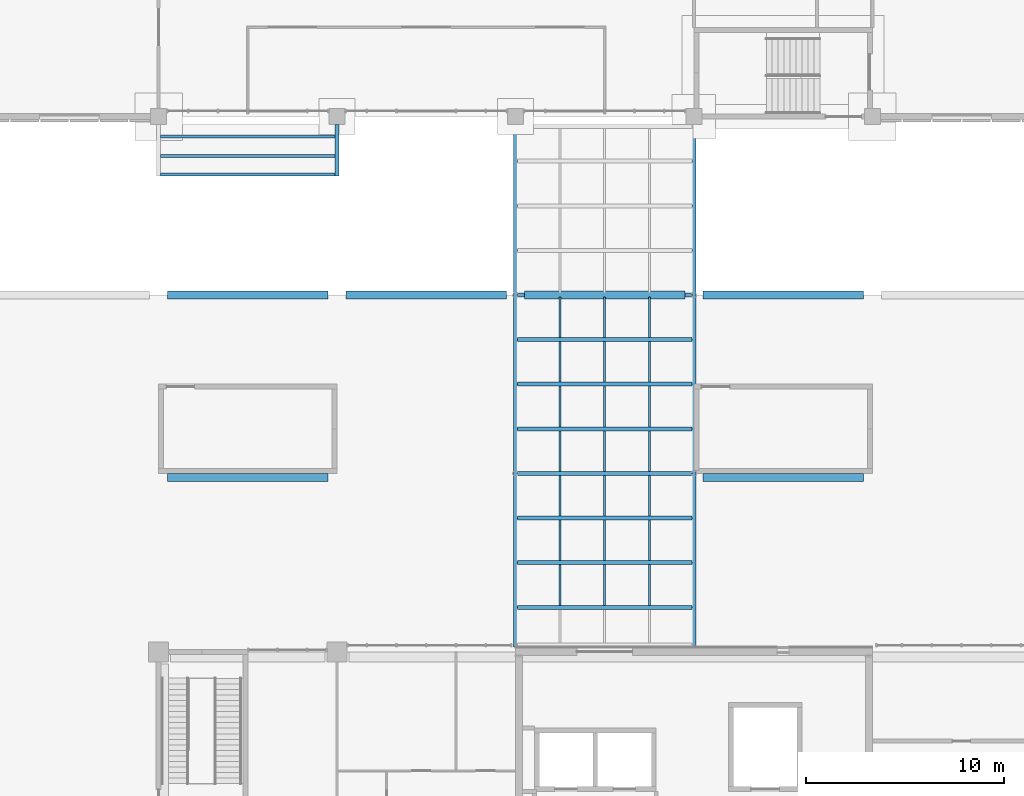
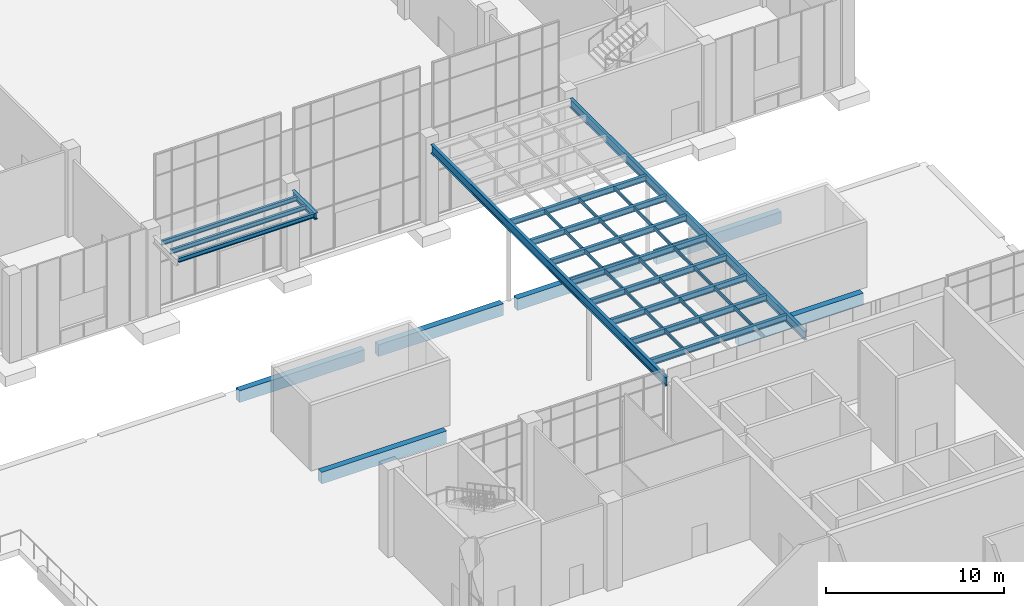
# One storey, part 31 of 86: 21 members, 20 beams.
"""IFC4 building model written with IfcOpenShell, lengths in metres."""

from ifc_helpers import new_model, si_unit, direction, frame, origin, origin_2d, place, context, subcontext, project, spatial, rectangle, i_section, extrude, material, material_profile, profile_set, type_object, element, save


model = new_model("IFC4")

# Units and contexts
model_context = context("Model", 3, precision=1e-05, world=origin(), true_north=direction((0.0, 1.0)))
body_context = subcontext(model_context, "Body", "Model", "MODEL_VIEW")
ifc_project = project(units=[si_unit("LENGTHUNIT", "METRE"), si_unit("AREAUNIT", "SQUARE_METRE"), si_unit("VOLUMEUNIT", "CUBIC_METRE"), si_unit("PLANEANGLEUNIT", "RADIAN"), si_unit("MASSUNIT", "GRAM", prefix="KILO")], contexts=[model_context])

# Site, building, storey
site_placement = place(None, origin())
site = spatial("IfcSite", under=ifc_project, at=site_placement, CompositionType="ELEMENT")
building_placement = place(site_placement, origin())
building = spatial("IfcBuilding", under=site, at=building_placement, Name="Guidao Yard Department Store", CompositionType="ELEMENT")
storey_placement = place(building_placement, origin())
storey = spatial("IfcBuildingStorey", under=building, at=storey_placement, Name="L00", CompositionType="ELEMENT", Elevation=0.0)

# Beams
ifc_material_1 = material(Name="Steel Q355B", Category="steel")
ifc_material_profile_1 = material_profile(ifc_material_1, i_section(OverallWidth=0.14990234375, OverallDepth=0.300048828125, WebThickness=0.006591796875, FlangeThickness=0.009033203125, FilletRadius=0.012939453125, at=origin_2d()), Name="HN 300x150x6.5x9")
ifc_profile_set_1 = profile_set([ifc_material_profile_1], Name="Steel Q355B")
beam_type_1 = type_object("IfcBeamType", Name="Canopy beam HN 300x150x6.5x9", PredefinedType="BEAM", material=ifc_profile_set_1)
beam_1_placement = place(storey_placement, frame((126.10009765625, 51.074951171875, 5.300048828125), z_axis=(1.0, 0.0, 0.0), x_axis=(0.0, 1.0, 0.0)))
element("IfcBeam", 1, at=beam_1_placement, inside=storey, type_object=beam_type_1, Name="Canopy edge beam FS-1", PredefinedType="BEAM", context=body_context, shape_type="SweptSolid", body=[
    extrude(i_section(OverallWidth=0.14990234375, OverallDepth=0.300048828125, WebThickness=0.006591796875, FlangeThickness=0.009033203125, FilletRadius=0.012939453125, at=origin_2d()), origin(), (0.0, 0.0, 1.0), 8.7998046875),
])
for number, where, z_axis, x_axis, name in (
    (2, (126.10009765625, 53.0, 5.300048828125), (1.0, 0.0, 0.0), (0.0, 1.0, 0.0), "Canopy joist FS-1.1"),
    (3, (126.10009765625, 52.0, 5.300048828125), (1.0, 0.0, 0.0), (0.0, 1.0, 0.0), "Canopy joist FS-1.2"),
):
    element("IfcBeam", number, at=place(storey_placement, frame(where, z_axis=z_axis, x_axis=x_axis)), inside=storey, type_object=beam_type_1, Name=name, PredefinedType="JOIST", context=body_context, shape_type="SweptSolid", body=[
        extrude(i_section(OverallWidth=0.14990234375, OverallDepth=0.300048828125, WebThickness=0.006591796875, FlangeThickness=0.009033203125, FilletRadius=0.012939453125, at=origin_2d()), origin(), (0.0, 0.0, 1.0), 8.7998046875),
    ])
ifc_material_2 = material(Name="Concrete C40", Category="concrete")
ifc_material_profile_2 = material_profile(ifc_material_2, rectangle(XDim=0.39990234375, YDim=0.800048828125, at=origin_2d()), Name="Edge beam 400 x 800 C40")
ifc_profile_set_2 = profile_set([ifc_material_profile_2], Name="Concrete C40")
beam_type_2 = type_object("IfcBeamType", Name="Edge beam 400 x 800 C40", PredefinedType="BEAM", material=ifc_profile_set_2)
for number, where, z_axis, x_axis, name in (
    (4, (126.449951171875, 35.800048828125, -0.39990234375), (1.0, 0.0, 0.0), (0.0, 1.0, 0.0), "Beam EB88"),
    (5, (153.449951171875, 35.800048828125, -0.39990234375), (1.0, 0.0, 0.0), (0.0, 1.0, 0.0), "Beam EB89"),
):
    element("IfcBeam", number, at=place(storey_placement, frame(where, z_axis=z_axis, x_axis=x_axis)), inside=storey, type_object=beam_type_2, Name=name, PredefinedType="BEAM", context=body_context, shape_type="SweptSolid", body=[
        extrude(rectangle(XDim=0.39990234375, YDim=0.800048828125, at=origin_2d()), origin(), (0.0, 0.0, 1.0), 8.10009765625),
    ])
ifc_material_3 = material(Name="Steel Q355B", Category="steel")
ifc_material_profile_3 = material_profile(ifc_material_3, i_section(OverallWidth=0.199951171875, OverallDepth=0.449951171875, WebThickness=0.009033203125, FlangeThickness=0.013916015625, FilletRadius=0.012939453125, at=origin_2d()), Name="HN 450x200x9x14")
ifc_profile_set_3 = profile_set([ifc_material_profile_3], Name="Steel Q355B")
beam_type_3 = type_object("IfcBeamType", Name="HN 450x200x9x14", PredefinedType="BEAM", material=ifc_profile_set_3)
beam_2_placement = place(storey_placement, frame((135.0, 53.60009765625, 5.22509765625), z_axis=(0.0, -1.0, 0.0), x_axis=(1.0, 0.0, 0.0)))
element("IfcBeam", 6, at=beam_2_placement, inside=storey, type_object=beam_type_3, Name="Canopy beam FS-2", PredefinedType="BEAM", context=body_context, shape_type="SweptSolid", body=[
    extrude(i_section(OverallWidth=0.199951171875, OverallDepth=0.449951171875, WebThickness=0.009033203125, FlangeThickness=0.013916015625, FilletRadius=0.012939453125, at=origin_2d()), origin(), (0.0, 0.0, 1.0), 2.60009765625),
])
ifc_material_4 = material(Name="Concrete C40", Category="concrete")
ifc_material_profile_4 = material_profile(ifc_material_4, rectangle(XDim=0.39990234375, YDim=0.800048828125, at=origin_2d()), Name="Spandrel beam 400 x 800 C40")
ifc_profile_set_4 = profile_set([ifc_material_profile_4], Name="Concrete C40")
beam_type_4 = type_object("IfcBeamType", Name="Spandrel beam 400 x 800 C40", PredefinedType="SPANDREL", material=ifc_profile_set_4)
for number, where, z_axis, x_axis, name in (
    (7, (126.449951171875, 45.0, -0.39990234375), (1.0, 0.0, 0.0), (0.0, 1.0, 0.0), "Beam EB83"),
    (8, (135.449951171875, 45.0, -0.39990234375), (1.0, 0.0, 0.0), (0.0, 1.0, 0.0), "Beam EB84"),
    (9, (144.449951171875, 45.0, -0.39990234375), (1.0, 0.0, 0.0), (0.0, 1.0, 0.0), "Beam EB85"),
    (10, (153.449951171875, 45.0, -0.39990234375), (1.0, 0.0, 0.0), (0.0, 1.0, 0.0), "Beam EB86"),
):
    element("IfcBeam", number, at=place(storey_placement, frame(where, z_axis=z_axis, x_axis=x_axis)), inside=storey, type_object=beam_type_4, Name=name, PredefinedType="SPANDREL", context=body_context, shape_type="SweptSolid", body=[
        extrude(rectangle(XDim=0.39990234375, YDim=0.800048828125, at=origin_2d()), origin(), (0.0, 0.0, 1.0), 8.10009765625),
    ])
ifc_material_5 = material(Name="Steel Q355B", Category="steel")
ifc_material_profile_5 = material_profile(ifc_material_5, i_section(OverallWidth=0.199951171875, OverallDepth=0.39990234375, WebThickness=0.008056640625, FlangeThickness=0.012939453125, FilletRadius=0.012939453125, at=origin_2d()), Name="HN 400x200x8x13")
ifc_profile_set_5 = profile_set([ifc_material_profile_5], Name="Steel Q355B")
beam_type_5 = type_object("IfcBeamType", Name="Walkway beam HN 400x200x8x13", PredefinedType="BEAM", material=ifc_profile_set_5)
for number, where, z_axis, x_axis, name in (
    (11, (144.10009765625, 29.25, 5.25), (1.0, 0.0, 0.0), (0.0, 1.0, 0.0), "Walkway beam 2"),
    (12, (144.10009765625, 31.5, 5.25), (1.0, 0.0, 0.0), (0.0, 1.0, 0.0), "Walkway beam 3"),
    (13, (144.10009765625, 33.75, 5.25), (1.0, 0.0, 0.0), (0.0, 1.0, 0.0), "Walkway beam 4"),
    (14, (144.10009765625, 36.0, 5.25), (1.0, 0.0, 0.0), (0.0, 1.0, 0.0), "Walkway beam 5"),
    (15, (144.10009765625, 38.25, 5.25), (1.0, 0.0, 0.0), (0.0, 1.0, 0.0), "Walkway beam 6"),
    (16, (144.10009765625, 40.5, 5.25), (1.0, 0.0, 0.0), (0.0, 1.0, 0.0), "Walkway beam 7"),
    (17, (144.10009765625, 42.75, 5.25), (1.0, 0.0, 0.0), (0.0, 1.0, 0.0), "Walkway beam 8"),
    (18, (144.10009765625, 45.0, 5.25), (1.0, 0.0, 0.0), (0.0, 1.0, 0.0), "Walkway beam 9"),
):
    element("IfcBeam", number, at=place(storey_placement, frame(where, z_axis=z_axis, x_axis=x_axis)), inside=storey, type_object=beam_type_5, Name=name, PredefinedType="BEAM", context=body_context, shape_type="SweptSolid", body=[
        extrude(i_section(OverallWidth=0.199951171875, OverallDepth=0.39990234375, WebThickness=0.008056640625, FlangeThickness=0.012939453125, FilletRadius=0.012939453125, at=origin_2d()), origin(), (0.0, 0.0, 1.0), 8.7998046875),
    ])
ifc_material_6 = material(Name="Steel Q355B", Category="steel")
ifc_material_profile_6 = material_profile(ifc_material_6, i_section(OverallWidth=0.199951171875, OverallDepth=0.60009765625, WebThickness=0.010986328125, FlangeThickness=0.01708984375, FilletRadius=0.012939453125, at=origin_2d()), Name="HN 600x200x11x17")
ifc_profile_set_6 = profile_set([ifc_material_profile_6], Name="Steel Q355B")
beam_type_6 = type_object("IfcBeamType", Name="Walkway girder HN 600x200x11x17", PredefinedType="BEAM", material=ifc_profile_set_6)
for number, where, z_axis, x_axis, name in (
    (19, (144.0, 27.25, 5.14990234375), (0.0, 1.0, 0.0), (-1.0, 0.0, 0.0), "Walkway girder W"),
    (20, (153.0, 27.25, 5.14990234375), (0.0, 1.0, 0.0), (-1.0, 0.0, 0.0), "Walkway girder E"),
):
    element("IfcBeam", number, at=place(storey_placement, frame(where, z_axis=z_axis, x_axis=x_axis)), inside=storey, type_object=beam_type_6, Name=name, PredefinedType="BEAM", context=body_context, shape_type="SweptSolid", body=[
        extrude(i_section(OverallWidth=0.199951171875, OverallDepth=0.60009765625, WebThickness=0.010986328125, FlangeThickness=0.01708984375, FilletRadius=0.012939453125, at=origin_2d()), origin(), (0.0, 0.0, 1.0), 26.35009765625),
    ])

# Members
ifc_material_7 = material(Name="Steel Q355B", Category="steel")
ifc_material_profile_7 = material_profile(ifc_material_7, i_section(OverallWidth=0.10009765625, OverallDepth=0.199951171875, WebThickness=0.005615234375, FlangeThickness=0.008056640625, FilletRadius=0.008056640625, at=origin_2d()), Name="HN 200x100x5.5x8")
ifc_profile_set_7 = profile_set([ifc_material_profile_7], Name="Steel Q355B")
member_type = type_object("IfcMemberType", Name="Walkway purlin HN 200x100x5.5x8", PredefinedType="PURLIN", material=ifc_profile_set_7)
for number, where, z_axis, x_axis, name in (
    (21, (146.25, 29.35009765625, 5.35009765625), (0.0, 1.0, 0.0), (-1.0, 0.0, 0.0), "Walkway purlin 1-2"),
    (22, (146.25, 31.60009765625, 5.35009765625), (0.0, 1.0, 0.0), (-1.0, 0.0, 0.0), "Walkway purlin 1-3"),
    (23, (146.25, 33.85009765625, 5.35009765625), (0.0, 1.0, 0.0), (-1.0, 0.0, 0.0), "Walkway purlin 1-4"),
    (24, (146.25, 36.10009765625, 5.35009765625), (0.0, 1.0, 0.0), (-1.0, 0.0, 0.0), "Walkway purlin 1-5"),
    (25, (146.25, 38.35009765625, 5.35009765625), (0.0, 1.0, 0.0), (-1.0, 0.0, 0.0), "Walkway purlin 1-6"),
    (26, (146.25, 40.60009765625, 5.35009765625), (0.0, 1.0, 0.0), (-1.0, 0.0, 0.0), "Walkway purlin 1-7"),
    (27, (146.25, 42.85009765625, 5.35009765625), (0.0, 1.0, 0.0), (-1.0, 0.0, 0.0), "Walkway purlin 1-8"),
    (28, (148.5, 29.35009765625, 5.35009765625), (0.0, 1.0, 0.0), (-1.0, 0.0, 0.0), "Walkway purlin 2-2"),
    (29, (148.5, 31.60009765625, 5.35009765625), (0.0, 1.0, 0.0), (-1.0, 0.0, 0.0), "Walkway purlin 2-3"),
    (30, (148.5, 33.85009765625, 5.35009765625), (0.0, 1.0, 0.0), (-1.0, 0.0, 0.0), "Walkway purlin 2-4"),
    (31, (148.5, 36.10009765625, 5.35009765625), (0.0, 1.0, 0.0), (-1.0, 0.0, 0.0), "Walkway purlin 2-5"),
    (32, (148.5, 38.35009765625, 5.35009765625), (0.0, 1.0, 0.0), (-1.0, 0.0, 0.0), "Walkway purlin 2-6"),
    (33, (148.5, 40.60009765625, 5.35009765625), (0.0, 1.0, 0.0), (-1.0, 0.0, 0.0), "Walkway purlin 2-7"),
    (34, (148.5, 42.85009765625, 5.35009765625), (0.0, 1.0, 0.0), (-1.0, 0.0, 0.0), "Walkway purlin 2-8"),
    (35, (150.75, 29.35009765625, 5.35009765625), (0.0, 1.0, 0.0), (-1.0, 0.0, 0.0), "Walkway purlin 3-2"),
    (36, (150.75, 31.60009765625, 5.35009765625), (0.0, 1.0, 0.0), (-1.0, 0.0, 0.0), "Walkway purlin 3-3"),
    (37, (150.75, 33.85009765625, 5.35009765625), (0.0, 1.0, 0.0), (-1.0, 0.0, 0.0), "Walkway purlin 3-4"),
    (38, (150.75, 36.10009765625, 5.35009765625), (0.0, 1.0, 0.0), (-1.0, 0.0, 0.0), "Walkway purlin 3-5"),
    (39, (150.75, 38.35009765625, 5.35009765625), (0.0, 1.0, 0.0), (-1.0, 0.0, 0.0), "Walkway purlin 3-6"),
    (40, (150.75, 40.60009765625, 5.35009765625), (0.0, 1.0, 0.0), (-1.0, 0.0, 0.0), "Walkway purlin 3-7"),
    (41, (150.75, 42.85009765625, 5.35009765625), (0.0, 1.0, 0.0), (-1.0, 0.0, 0.0), "Walkway purlin 3-8"),
):
    element("IfcMember", number, at=place(storey_placement, frame(where, z_axis=z_axis, x_axis=x_axis)), inside=storey, type_object=member_type, Name=name, PredefinedType="PURLIN", context=body_context, shape_type="SweptSolid", body=[
        extrude(i_section(OverallWidth=0.10009765625, OverallDepth=0.199951171875, WebThickness=0.005615234375, FlangeThickness=0.008056640625, FilletRadius=0.008056640625, at=origin_2d()), origin(), (0.0, 0.0, 1.0), 2.0498046875),
    ])

save(model, "model.ifc")
